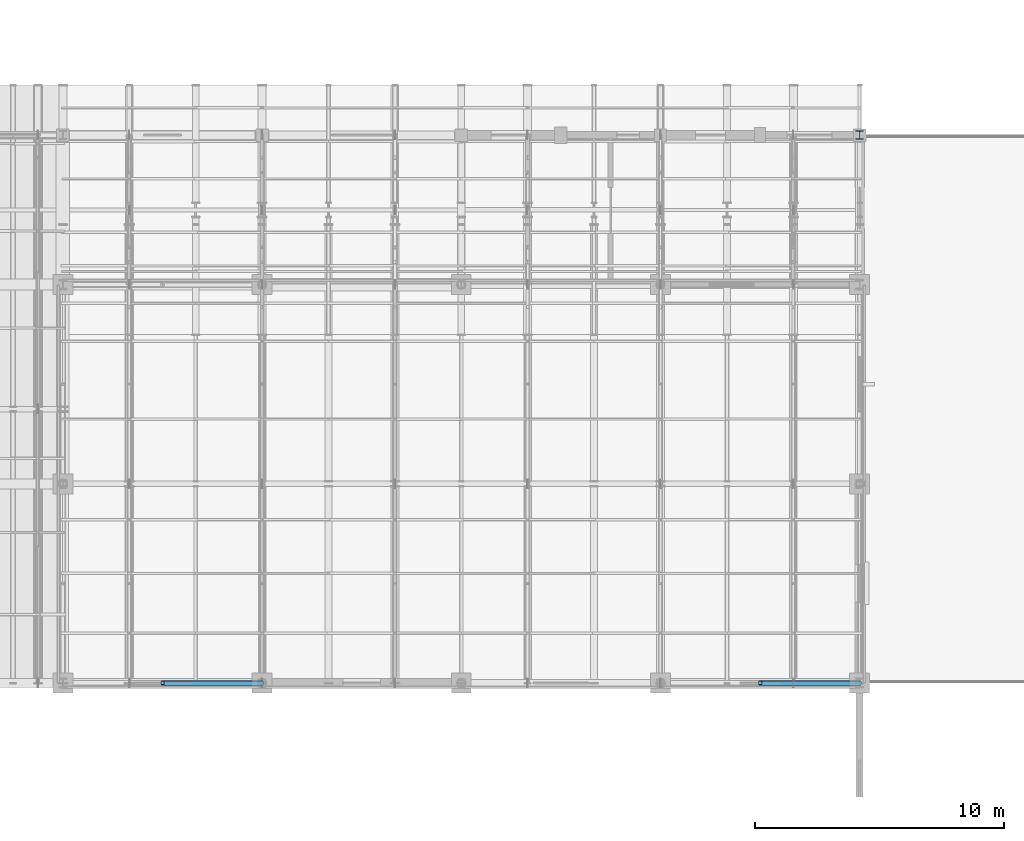
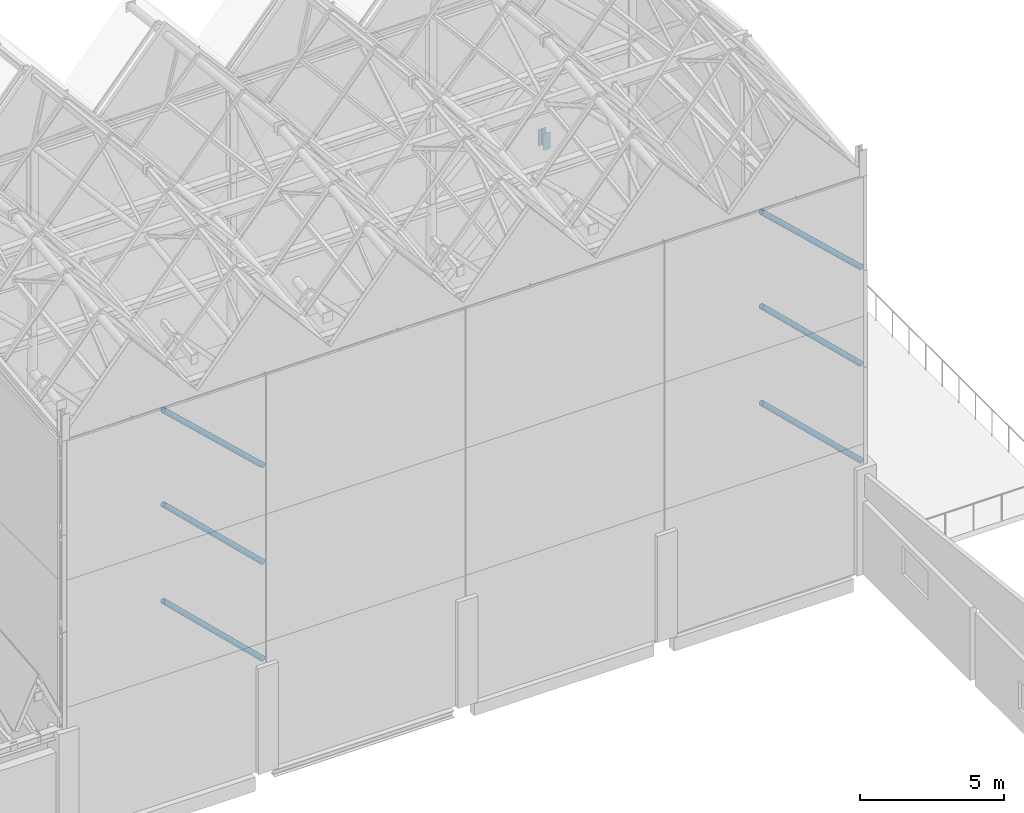
# One storey, part 7 of 48: 6 members, 1 column.
"""IFC4 building model written with IfcOpenShell, lengths in metres."""

from ifc_helpers import new_model, si_unit, direction, frame, origin, origin_2d, place, context, subcontext, project, spatial, hollow_circle, i_section, extrude, material, material_profile, profile_set, type_object, element, save


model = new_model("IFC4")

# Units and contexts
model_context = context("Model", 3, precision=1e-05, world=origin(), true_north=direction((0.0, 1.0)))
body_context = subcontext(model_context, "Body", "Model", "MODEL_VIEW")
ifc_project = project(units=[si_unit("LENGTHUNIT", "METRE"), si_unit("AREAUNIT", "SQUARE_METRE"), si_unit("VOLUMEUNIT", "CUBIC_METRE"), si_unit("PLANEANGLEUNIT", "RADIAN"), si_unit("MASSUNIT", "GRAM", prefix="KILO")], contexts=[model_context])

# Site, building, storey
site_placement = place(None, origin())
site = spatial("IfcSite", under=ifc_project, at=site_placement, CompositionType="ELEMENT")
building_placement = place(site_placement, origin())
building = spatial("IfcBuilding", under=site, at=building_placement, Name="Luwemba Playhouse", CompositionType="ELEMENT")
storey_placement = place(building_placement, frame((0.0, 0.0, 13.800048828125)))
storey = spatial("IfcBuildingStorey", under=building, at=storey_placement, Name="L03", CompositionType="ELEMENT", Elevation=13.800048828125)

# Column
ifc_material = material(Name="Steel S355", Category="steel")
ifc_material_profile_1 = material_profile(ifc_material, i_section(OverallWidth=0.300048828125, OverallDepth=0.340087890625, WebThickness=0.011962890625, FlangeThickness=0.021484375, FilletRadius=0.027099609375, at=origin_2d()))
ifc_profile_set_1 = profile_set([ifc_material_profile_1], Name="Steel S355")
column_type = type_object("IfcColumnType", Name="COL-SC2", PredefinedType="COLUMN", material=ifc_profile_set_1)
column_placement = place(storey_placement, frame((44.0, 90.0, 4.5), z_axis=(0.0, 0.0, 1.0), x_axis=(1.0, 0.0, 0.0)))
element("IfcColumn", 1, at=column_placement, inside=storey, type_object=column_type, Name="RF-V2-NORTH north corner apex stub", PredefinedType="COLUMN", context=body_context, shape_type="SweptSolid", body=[
    extrude(i_section(OverallWidth=0.300048828125, OverallDepth=0.340087890625, WebThickness=0.011962890625, FlangeThickness=0.021484375, FilletRadius=0.027099609375, at=origin_2d()), origin(), (0.0, 0.0, 1.0), 0.699951171875),
])

# Members
ifc_material_profile_2 = material_profile(ifc_material, hollow_circle(Radius=0.109619140625, WallThickness=0.012451171875, at=origin_2d()))
ifc_profile_set_2 = profile_set([ifc_material_profile_2], Name="Steel S355")
member_type = type_object("IfcMemberType", Name="MEM-MB04", PredefinedType="BRACE", material=ifc_profile_set_2)
for number, where, z_axis, x_axis, name in (
    (2, (20.0, 68.0, 4.550048828125), (-0.720500036349, 0.0, 0.693454899486), (0.0, -1.0, 0.0), "Fly tower lateral brace 002"),
    (3, (44.0, 68.0, 4.550048828125), (-0.720500036349, 0.0, 0.693454899486), (0.0, -1.0, 0.0), "Fly tower lateral brace 004"),
    (4, (20.0, 68.0, 8.64990234375), (-0.720478064824, 0.0, 0.693477727189), (0.0, -1.0, 0.0), "Fly tower lateral brace 018"),
    (5, (44.0, 68.0, 8.64990234375), (-0.720478064824, 0.0, 0.693477727189), (0.0, -1.0, 0.0), "Fly tower lateral brace 020"),
):
    element("IfcMember", number, at=place(storey_placement, frame(where, z_axis=z_axis, x_axis=x_axis)), inside=storey, type_object=member_type, Name=name, PredefinedType="BRACE", context=body_context, shape_type="SweptSolid", body=[
        extrude(hollow_circle(Radius=0.109619140625, WallThickness=0.012451171875, at=origin_2d()), origin(), (0.0, 0.0, 1.0), 5.5517578125),
    ])
for number, where, z_axis, x_axis, name in (
    (6, (20.0, 68.0, 12.75), (-0.72953720414, 0.0, 0.683941128881), (0.0, -1.0, 0.0), "Fly tower lateral brace 034"),
    (7, (44.0, 68.0, 12.75), (-0.72953720414, 0.0, 0.683941128881), (0.0, -1.0, 0.0), "Fly tower lateral brace 036"),
):
    element("IfcMember", number, at=place(storey_placement, frame(where, z_axis=z_axis, x_axis=x_axis)), inside=storey, type_object=member_type, Name=name, PredefinedType="BRACE", context=body_context, shape_type="SweptSolid", body=[
        extrude(hollow_circle(Radius=0.109619140625, WallThickness=0.012451171875, at=origin_2d()), origin(), (0.0, 0.0, 1.0), 5.48291015625),
    ])

save(model, "model.ifc")
